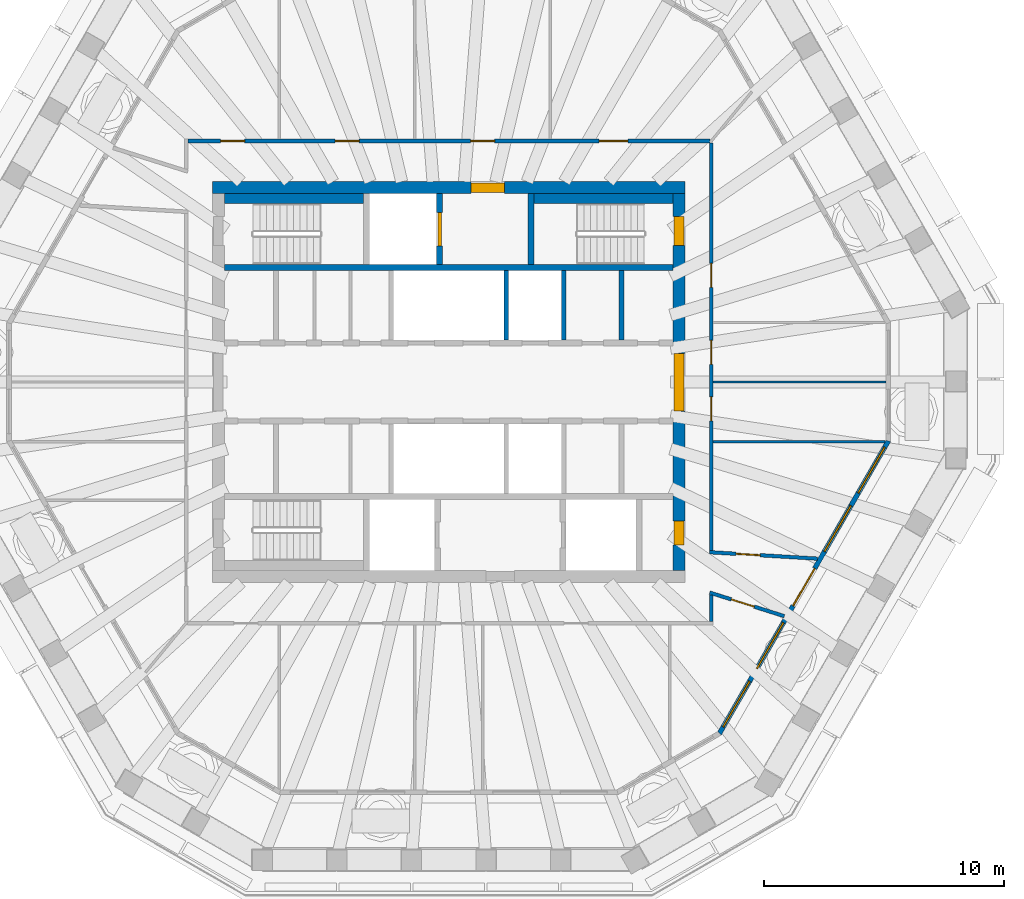
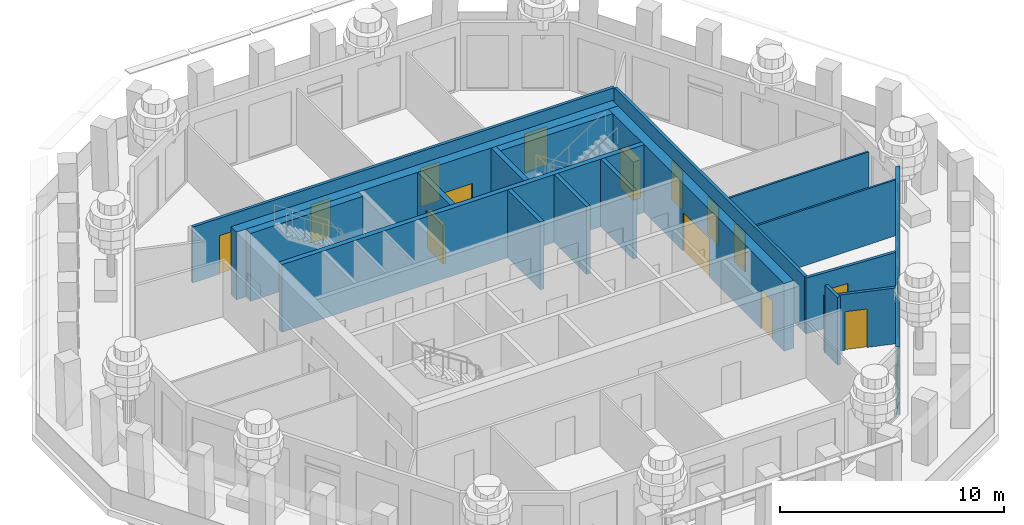
# One storey, part 6 of 13: 18 walls, 15 doors, 5 windows, 20 openings.
"""IFC4 building model written with IfcOpenShell, lengths in metres."""

from ifc_helpers import new_model, si_unit, direction, frame, frame_2d, origin, place, context, subcontext, project, spatial, polyline, rectangle, outline, extrude, material, layer, layer_set, type_object, element, fill, save


model = new_model("IFC4")

# Units and contexts
model_context = context("Model", 3, precision=1e-05, world=origin(), true_north=direction((0.0, 1.0)))
body_context = subcontext(model_context, "Body", "Model", "MODEL_VIEW")
ifc_project = project(units=[si_unit("LENGTHUNIT", "METRE"), si_unit("AREAUNIT", "SQUARE_METRE"), si_unit("VOLUMEUNIT", "CUBIC_METRE"), si_unit("PLANEANGLEUNIT", "RADIAN"), si_unit("MASSUNIT", "GRAM", prefix="KILO")], contexts=[model_context])

# Site, building, storey
site_placement = place(None, origin())
site = spatial("IfcSite", under=ifc_project, at=site_placement, CompositionType="ELEMENT")
building_placement = place(site_placement, origin())
building = spatial("IfcBuilding", under=site, at=building_placement, Name="Frailejon Research Tower", CompositionType="ELEMENT")
storey_placement = place(building_placement, frame((0.0, 0.0, 308.60009765625)))
storey = spatial("IfcBuildingStorey", under=building, at=storey_placement, Name="L68", CompositionType="ELEMENT", Elevation=308.60009765625)

# Wall, opening, door
ifc_material_1 = material(Name="Concrete C50/60", Category="concrete")
ifc_layer_1 = layer(ifc_material_1, 0.5)
ifc_layer_set_1 = layer_set([ifc_layer_1], Name="Core shear wall 500 C50/60")
wall_type_1 = type_object("IfcWallType", Name="Core shear wall 500 C50/60", PredefinedType="SHEAR", material=ifc_layer_set_1)
wall_1_placement = place(storey_placement, frame((-9.85009765625, 8.10009765625, 0.0), z_axis=(0.0, 0.0, 1.0), x_axis=(1.0, 0.0, 0.0)))
wall_1 = element("IfcWall", 1, at=wall_1_placement, inside=storey, type_object=wall_type_1, Name="Core shear wall", PredefinedType="SHEAR", context=body_context, shape_type="SweptSolid", body=[
    extrude(rectangle(XDim=19.7001953125, YDim=0.5, at=frame_2d((9.85009765625, 0.0))), origin(), (0.0, 0.0, 1.0), 3.699951171875),
])
opening_1_placement = place(wall_1_placement, frame((10.77490234375, 0.0, 0.0)))
opening_1 = element("IfcOpeningElement", 2, at=opening_1_placement, cuts=wall_1, Name="Opening D9", PredefinedType="OPENING", context=body_context, shape_type="SweptSolid", body=[
    extrude(rectangle(XDim=1.39990234375, YDim=2.10009765625, at=frame_2d((0.699951171875, 1.050048828125))), frame((0.0, 0.260009765625, 0.0), z_axis=(0.0, -1.0, 0.0), x_axis=(1.0, 0.0, 0.0)), (0.0, 0.0, 1.0), 0.52001953125),
])
ifc_material_2 = material(Name="Steel", Category="steel")
door_type_1 = type_object("IfcDoorType", Name="Goods lobby door", OperationType="DOUBLE_DOOR_SINGLE_SWING", PredefinedType="DOOR", material=ifc_material_2)
door_1_placement = place(opening_1_placement, origin())
door_1 = element("IfcDoor", 3, at=door_1_placement, inside=storey, type_object=door_type_1, Name="Goods lobby door", OperationType="DOUBLE_DOOR_SINGLE_SWING", OverallHeight=2.10009765625, OverallWidth=1.39990234375, PredefinedType="DOOR", context=body_context, shape_type="SweptSolid", body=[
    extrude(rectangle(XDim=1.39990234375, YDim=2.10009765625, at=frame_2d((0.699951171875, 1.050048828125))), frame((0.0, 0.199951171875, 0.0), z_axis=(0.0, -1.0, 0.0), x_axis=(1.0, 0.0, 0.0)), (0.0, 0.0, 1.0), 0.39990234375),
])
fill(opening_1, door_1)

# Wall, openings, doors
wall_2_placement = place(storey_placement, frame((9.60009765625, -7.85009765625, 0.0), z_axis=(0.0, 0.0, 1.0), x_axis=(0.0, 1.0, 0.0)))
wall_2 = element("IfcWall", 4, at=wall_2_placement, inside=storey, type_object=wall_type_1, Name="Core shear wall", PredefinedType="SHEAR", context=body_context, shape_type="SweptSolid", body=[
    extrude(rectangle(XDim=15.7001953125, YDim=0.5, at=frame_2d((7.85009765625, 0.0))), origin(), (0.0, 0.0, 1.0), 3.699951171875),
])
opening_2_placement = place(wall_2_placement, frame((6.64990234375, 0.0, 0.0)))
opening_2 = element("IfcOpeningElement", 5, at=opening_2_placement, cuts=wall_2, Name="Opening D2", PredefinedType="OPENING", context=body_context, shape_type="SweptSolid", body=[
    extrude(rectangle(XDim=2.39990234375, YDim=2.10009765625, at=frame_2d((1.199951171875, 1.050048828125))), frame((0.0, 0.260009765625, 0.0), z_axis=(0.0, -1.0, 0.0), x_axis=(1.0, 0.0, 0.0)), (0.0, 0.0, 1.0), 0.52001953125),
])
opening_3_placement = place(wall_2_placement, frame((13.550048828125, 0.0, 0.0)))
opening_3 = element("IfcOpeningElement", 6, at=opening_3_placement, cuts=wall_2, Name="Opening D1", PredefinedType="OPENING", context=body_context, shape_type="SweptSolid", body=[
    extrude(rectangle(XDim=1.199951171875, YDim=2.10009765625, at=frame_2d((0.60009765625, 1.050048828125))), frame((0.0, 0.260009765625, 0.0), z_axis=(0.0, -1.0, 0.0), x_axis=(1.0, 0.0, 0.0)), (0.0, 0.0, 1.0), 0.52001953125),
])
opening_4_placement = place(wall_2_placement, frame((1.050048828125, 0.0, 0.0)))
opening_4 = element("IfcOpeningElement", 7, at=opening_4_placement, cuts=wall_2, Name="Opening D4", PredefinedType="OPENING", context=body_context, shape_type="SweptSolid", body=[
    extrude(rectangle(XDim=1.0, YDim=2.10009765625, at=frame_2d((0.5, 1.050048828125))), frame((0.0, 0.260009765625, 0.0), z_axis=(0.0, -1.0, 0.0), x_axis=(1.0, 0.0, 0.0)), (0.0, 0.0, 1.0), 0.52001953125),
])
ifc_material_3 = material(Name="Steel", Category="steel")
door_type_2 = type_object("IfcDoorType", Name="Lobby double door", OperationType="DOUBLE_DOOR_SINGLE_SWING", PredefinedType="DOOR", material=ifc_material_3)
door_2_placement = place(opening_2_placement, origin())
door_2 = element("IfcDoor", 8, at=door_2_placement, inside=storey, type_object=door_type_2, Name="Lobby door", OperationType="DOUBLE_DOOR_SINGLE_SWING", OverallHeight=2.10009765625, OverallWidth=2.39990234375, PredefinedType="DOOR", context=body_context, shape_type="SweptSolid", body=[
    extrude(rectangle(XDim=2.39990234375, YDim=2.10009765625, at=frame_2d((1.199951171875, 1.050048828125))), frame((0.0, 0.199951171875, 0.0), z_axis=(0.0, -1.0, 0.0), x_axis=(1.0, 0.0, 0.0)), (0.0, 0.0, 1.0), 0.39990234375),
])
fill(opening_2, door_2)
ifc_material_4 = material(Name="Steel", Category="steel")
door_type_3 = type_object("IfcDoorType", Name="Service door", OperationType="SINGLE_SWING_LEFT", PredefinedType="DOOR", material=ifc_material_4)
door_3_placement = place(opening_4_placement, origin())
door_3 = element("IfcDoor", 9, at=door_3_placement, inside=storey, type_object=door_type_3, Name="Riser door", OperationType="SINGLE_SWING_RIGHT", OverallHeight=2.10009765625, OverallWidth=1.0, PredefinedType="DOOR", context=body_context, shape_type="SweptSolid", body=[
    extrude(rectangle(XDim=1.0, YDim=2.10009765625, at=frame_2d((0.5, 1.050048828125))), frame((0.0, 0.199951171875, 0.0), z_axis=(0.0, -1.0, 0.0), x_axis=(1.0, 0.0, 0.0)), (0.0, 0.0, 1.0), 0.39990234375),
])
fill(opening_4, door_3)
ifc_material_5 = material(Name="Steel", Category="steel")
door_type_4 = type_object("IfcDoorType", Name="Stair door", OperationType="SINGLE_SWING_LEFT", PredefinedType="DOOR", material=ifc_material_5)
door_4_placement = place(opening_3_placement, origin())
door_4 = element("IfcDoor", 10, at=door_4_placement, inside=storey, type_object=door_type_4, Name="Stair door ST3", OperationType="SINGLE_SWING_LEFT", OverallHeight=2.10009765625, OverallWidth=1.199951171875, PredefinedType="DOOR", context=body_context, shape_type="SweptSolid", body=[
    extrude(rectangle(XDim=1.199951171875, YDim=2.10009765625, at=frame_2d((0.60009765625, 1.050048828125))), frame((0.0, 0.199951171875, 0.0), z_axis=(0.0, -1.0, 0.0), x_axis=(1.0, 0.0, 0.0)), (0.0, 0.0, 1.0), 0.39990234375),
])
fill(opening_3, door_4)

# Wall
ifc_material_6 = material(Name="Gypsum board and masonry partition", Category="masonry")
ifc_layer_2 = layer(ifc_material_6, 0.14990234375)
ifc_layer_set_2 = layer_set([ifc_layer_2], Name="Corridor wall EI 60, gypsum on steel studs 150")
wall_type_2 = type_object("IfcWallType", Name="Corridor wall EI 60, gypsum on steel studs 150", PredefinedType="PARTITIONING", material=ifc_layer_set_2)
wall_3_placement = place(storey_placement, frame((10.949951171875, -9.97509765625, 0.0), z_axis=(0.0, 0.0, 1.0), x_axis=(0.0, 1.0, 0.0)))
element("IfcWall", 11, at=wall_3_placement, inside=storey, type_object=wall_type_2, Name="T:IW:L68:001", PredefinedType="PARTITIONING", context=body_context, shape_type="SweptSolid", body=[
    extrude(rectangle(XDim=1.10009765625, YDim=0.14990234375, at=frame_2d((0.550048828125, 0.0))), origin(), (0.0, 0.0, 1.0), 3.699951171875),
])

# Wall, openings, doors
wall_4_placement = place(storey_placement, frame((10.949951171875, -7.02490234375, 0.0), z_axis=(0.0, 0.0, 1.0), x_axis=(0.0, 1.0, 0.0)))
wall_4 = element("IfcWall", 12, at=wall_4_placement, inside=storey, type_object=wall_type_2, Name="T:IW:L68:002", PredefinedType="PARTITIONING", context=body_context, shape_type="SweptSolid", body=[
    extrude(rectangle(XDim=17.0, YDim=0.14990234375, at=frame_2d((8.5, 0.0))), origin(), (0.0, 0.0, 1.0), 3.0498046875),
])
opening_5_placement = place(wall_4_placement, frame((7.766357421875, 0.0, 0.0)))
opening_5 = element("IfcOpeningElement", 13, at=opening_5_placement, cuts=wall_4, Name="Opening D2281", PredefinedType="OPENING", context=body_context, shape_type="SweptSolid", body=[
    extrude(rectangle(XDim=1.0, YDim=2.10009765625, at=frame_2d((0.5, 1.050048828125))), frame((0.0, 0.0849609375, 0.0), z_axis=(0.0, -1.0, 0.0), x_axis=(1.0, 0.0, 0.0)), (0.0, 0.0, 1.0), 0.169921875),
])
opening_6_placement = place(wall_4_placement, frame((10.9755859375, 0.0, 0.0)))
opening_6 = element("IfcOpeningElement", 14, at=opening_6_placement, cuts=wall_4, Name="Opening D2282", PredefinedType="OPENING", context=body_context, shape_type="SweptSolid", body=[
    extrude(rectangle(XDim=1.0, YDim=2.10009765625, at=frame_2d((0.5, 1.050048828125))), frame((0.0, 0.0849609375, 0.0), z_axis=(0.0, -1.0, 0.0), x_axis=(1.0, 0.0, 0.0)), (0.0, 0.0, 1.0), 0.169921875),
])
opening_7_placement = place(wall_4_placement, frame((5.401123046875, 0.0, 0.0)))
opening_7 = element("IfcOpeningElement", 15, at=opening_7_placement, cuts=wall_4, Name="Opening D2297", PredefinedType="OPENING", context=body_context, shape_type="SweptSolid", body=[
    extrude(rectangle(XDim=1.0, YDim=2.10009765625, at=frame_2d((0.5, 1.050048828125))), frame((0.0, 0.0849609375, 0.0), z_axis=(0.0, -1.0, 0.0), x_axis=(1.0, 0.0, 0.0)), (0.0, 0.0, 1.0), 0.169921875),
])
ifc_material_7 = material(Name="Timber door leaf", Category="wood")
door_type_5 = type_object("IfcDoorType", Name="Door single leaf, timber, steel frame 1000", OperationType="NOTDEFINED", PredefinedType="DOOR", material=ifc_material_7)
door_5_placement = place(opening_5_placement, origin())
door_5 = element("IfcDoor", 16, at=door_5_placement, inside=storey, type_object=door_type_5, Name="D2281", OperationType="SINGLE_SWING_RIGHT", OverallHeight=2.10009765625, OverallWidth=1.0, PredefinedType="DOOR", context=body_context, shape_type="SweptSolid", body=[
    extrude(rectangle(XDim=1.0, YDim=2.10009765625, at=frame_2d((0.5, 1.050048828125))), frame((0.0, 0.02490234375, 0.0), z_axis=(0.0, -1.0, 0.0), x_axis=(1.0, 0.0, 0.0)), (0.0, 0.0, 1.0), 0.050048828125),
])
fill(opening_5, door_5)
door_6_placement = place(opening_6_placement, origin())
door_6 = element("IfcDoor", 17, at=door_6_placement, inside=storey, type_object=door_type_5, Name="D2282", OperationType="SINGLE_SWING_LEFT", OverallHeight=2.10009765625, OverallWidth=1.0, PredefinedType="DOOR", context=body_context, shape_type="SweptSolid", body=[
    extrude(rectangle(XDim=1.0, YDim=2.10009765625, at=frame_2d((0.5, 1.050048828125))), frame((0.0, 0.02490234375, 0.0), z_axis=(0.0, -1.0, 0.0), x_axis=(1.0, 0.0, 0.0)), (0.0, 0.0, 1.0), 0.050048828125),
])
fill(opening_6, door_6)
door_7_placement = place(opening_7_placement, origin())
door_7 = element("IfcDoor", 18, at=door_7_placement, inside=storey, type_object=door_type_5, Name="D2297", OperationType="SINGLE_SWING_LEFT", OverallHeight=2.10009765625, OverallWidth=1.0, PredefinedType="DOOR", context=body_context, shape_type="SweptSolid", body=[
    extrude(rectangle(XDim=1.0, YDim=2.10009765625, at=frame_2d((0.5, 1.050048828125))), frame((0.0, 0.02490234375, 0.0), z_axis=(0.0, -1.0, 0.0), x_axis=(1.0, 0.0, 0.0)), (0.0, 0.0, 1.0), 0.050048828125),
])
fill(opening_7, door_7)

wall_5_placement = place(storey_placement, frame((-10.875, 10.050048828125, 0.0), z_axis=(0.0, 0.0, 1.0), x_axis=(1.0, 0.0, 0.0)))
wall_5 = element("IfcWall", 19, at=wall_5_placement, inside=storey, type_object=wall_type_2, Name="T:IW:L68:003", PredefinedType="PARTITIONING", context=body_context, shape_type="SweptSolid", body=[
    extrude(rectangle(XDim=21.77490234375, YDim=0.14990234375, at=frame_2d((10.887451171875, 0.0))), origin(), (0.0, 0.0, 1.0), 3.0498046875),
])
opening_8_placement = place(wall_5_placement, frame((17.1474609375, 0.0, 0.0)))
opening_8 = element("IfcOpeningElement", 20, at=opening_8_placement, cuts=wall_5, Name="Opening D2283", PredefinedType="OPENING", context=body_context, shape_type="SweptSolid", body=[
    extrude(rectangle(XDim=1.199951171875, YDim=2.10009765625, at=frame_2d((0.60009765625, 1.050048828125))), frame((0.0, 0.0849609375, 0.0), z_axis=(0.0, -1.0, 0.0), x_axis=(1.0, 0.0, 0.0)), (0.0, 0.0, 1.0), 0.169921875),
])
opening_9_placement = place(wall_5_placement, frame((11.787841796875, 0.0, 0.0)))
opening_9 = element("IfcOpeningElement", 21, at=opening_9_placement, cuts=wall_5, Name="Opening D2284", PredefinedType="OPENING", context=body_context, shape_type="SweptSolid", body=[
    extrude(rectangle(XDim=1.0, YDim=2.10009765625, at=frame_2d((0.5, 1.050048828125))), frame((0.0, 0.0849609375, 0.0), z_axis=(0.0, -1.0, 0.0), x_axis=(1.0, 0.0, 0.0)), (0.0, 0.0, 1.0), 0.169921875),
])
opening_10_placement = place(wall_5_placement, frame((6.13671875, 0.0, 0.0)))
opening_10 = element("IfcOpeningElement", 22, at=opening_10_placement, cuts=wall_5, Name="Opening D2285", PredefinedType="OPENING", context=body_context, shape_type="SweptSolid", body=[
    extrude(rectangle(XDim=1.0, YDim=2.10009765625, at=frame_2d((0.5, 1.050048828125))), frame((0.0, 0.0849609375, 0.0), z_axis=(0.0, -1.0, 0.0), x_axis=(1.0, 0.0, 0.0)), (0.0, 0.0, 1.0), 0.169921875),
])
opening_11_placement = place(wall_5_placement, frame((1.3681640625, 0.0, 0.0)))
opening_11 = element("IfcOpeningElement", 23, at=opening_11_placement, cuts=wall_5, Name="Opening D2286", PredefinedType="OPENING", context=body_context, shape_type="SweptSolid", body=[
    extrude(rectangle(XDim=1.0, YDim=2.10009765625, at=frame_2d((0.5, 1.050048828125))), frame((0.0, 0.0849609375, 0.0), z_axis=(0.0, -1.0, 0.0), x_axis=(1.0, 0.0, 0.0)), (0.0, 0.0, 1.0), 0.169921875),
])
door_8_placement = place(opening_9_placement, origin())
door_8 = element("IfcDoor", 24, at=door_8_placement, inside=storey, type_object=door_type_5, Name="D2284", OperationType="SINGLE_SWING_RIGHT", OverallHeight=2.10009765625, OverallWidth=1.0, PredefinedType="DOOR", context=body_context, shape_type="SweptSolid", body=[
    extrude(rectangle(XDim=1.0, YDim=2.10009765625, at=frame_2d((0.5, 1.050048828125))), frame((0.0, 0.02490234375, 0.0), z_axis=(0.0, -1.0, 0.0), x_axis=(1.0, 0.0, 0.0)), (0.0, 0.0, 1.0), 0.050048828125),
])
fill(opening_9, door_8)
door_9_placement = place(opening_10_placement, origin())
door_9 = element("IfcDoor", 25, at=door_9_placement, inside=storey, type_object=door_type_5, Name="D2285", OperationType="SINGLE_SWING_LEFT", OverallHeight=2.10009765625, OverallWidth=1.0, PredefinedType="DOOR", context=body_context, shape_type="SweptSolid", body=[
    extrude(rectangle(XDim=1.0, YDim=2.10009765625, at=frame_2d((0.5, 1.050048828125))), frame((0.0, 0.02490234375, 0.0), z_axis=(0.0, -1.0, 0.0), x_axis=(1.0, 0.0, 0.0)), (0.0, 0.0, 1.0), 0.050048828125),
])
fill(opening_10, door_9)
door_10_placement = place(opening_11_placement, origin())
door_10 = element("IfcDoor", 26, at=door_10_placement, inside=storey, type_object=door_type_5, Name="D2286", OperationType="SINGLE_SWING_LEFT", OverallHeight=2.10009765625, OverallWidth=1.0, PredefinedType="DOOR", context=body_context, shape_type="SweptSolid", body=[
    extrude(rectangle(XDim=1.0, YDim=2.10009765625, at=frame_2d((0.5, 1.050048828125))), frame((0.0, 0.02490234375, 0.0), z_axis=(0.0, -1.0, 0.0), x_axis=(1.0, 0.0, 0.0)), (0.0, 0.0, 1.0), 0.050048828125),
])
fill(opening_11, door_10)
ifc_material_8 = material(Name="Timber door leaf", Category="wood")
door_type_6 = type_object("IfcDoorType", Name="Door single leaf, timber, steel frame 1200", OperationType="NOTDEFINED", PredefinedType="DOOR", material=ifc_material_8)
door_11_placement = place(opening_8_placement, origin())
door_11 = element("IfcDoor", 27, at=door_11_placement, inside=storey, type_object=door_type_6, Name="D2283", OperationType="DOUBLE_DOOR_SINGLE_SWING", OverallHeight=2.10009765625, OverallWidth=1.199951171875, PredefinedType="DOOR", context=body_context, shape_type="SweptSolid", body=[
    extrude(rectangle(XDim=1.199951171875, YDim=2.10009765625, at=frame_2d((0.60009765625, 1.050048828125))), frame((0.0, 0.02490234375, 0.0), z_axis=(0.0, -1.0, 0.0), x_axis=(1.0, 0.0, 0.0)), (0.0, 0.0, 1.0), 0.050048828125),
])
fill(opening_8, door_11)

# Wall, opening, door
wall_6_placement = place(storey_placement, frame((10.87841796875, -8.77734375, 0.0), z_axis=(0.0, 0.0, 1.0), x_axis=(0.953535222329, -0.301281562294, 0.0)))
wall_6 = element("IfcWall", 28, at=wall_6_placement, inside=storey, type_object=wall_type_2, Name="T:IW:L68:009", PredefinedType="PARTITIONING", context=body_context, shape_type="SweptSolid", body=[
    extrude(rectangle(XDim=3.267333984375, YDim=0.14990234375, at=frame_2d((1.6337890625, 0.0))), origin(), (0.0, 0.0, 1.0), 3.0498046875),
])
opening_12_placement = place(wall_6_placement, frame((0.947265625, 0.0, 0.0)))
opening_12 = element("IfcOpeningElement", 29, at=opening_12_placement, cuts=wall_6, Name="Opening D2295", PredefinedType="OPENING", context=body_context, shape_type="SweptSolid", body=[
    extrude(rectangle(XDim=1.0, YDim=2.10009765625, at=frame_2d((0.5, 1.050048828125))), frame((0.0, 0.0849609375, 0.0), z_axis=(0.0, -1.0, 0.0), x_axis=(1.0, 0.0, 0.0)), (0.0, 0.0, 1.0), 0.169921875),
])
door_12_placement = place(opening_12_placement, origin())
door_12 = element("IfcDoor", 30, at=door_12_placement, inside=storey, type_object=door_type_5, Name="D2295", OperationType="SINGLE_SWING_RIGHT", OverallHeight=2.10009765625, OverallWidth=1.0, PredefinedType="DOOR", context=body_context, shape_type="SweptSolid", body=[
    extrude(rectangle(XDim=1.0, YDim=2.10009765625, at=frame_2d((0.5, 1.050048828125))), frame((0.0, 0.02490234375, 0.0), z_axis=(0.0, -1.0, 0.0), x_axis=(1.0, 0.0, 0.0)), (0.0, 0.0, 1.0), 0.050048828125),
])
fill(opening_12, door_12)

wall_7_placement = place(storey_placement, frame((10.875, -7.095458984375, 0.0), z_axis=(0.0, 0.0, 1.0), x_axis=(0.998236474489, -0.059362791376, 0.0)))
wall_7 = element("IfcWall", 31, at=wall_7_placement, inside=storey, type_object=wall_type_2, Name="T:IW:L68:010", PredefinedType="PARTITIONING", context=body_context, shape_type="SweptSolid", body=[
    extrude(rectangle(XDim=4.51171875, YDim=0.14990234375, at=frame_2d((2.255859375, 0.0))), origin(), (0.0, 0.0, 1.0), 3.0498046875),
])
opening_13_placement = place(wall_7_placement, frame((1.109130859375, 0.0, 0.0)))
opening_13 = element("IfcOpeningElement", 32, at=opening_13_placement, cuts=wall_7, Name="Opening D2296", PredefinedType="OPENING", context=body_context, shape_type="SweptSolid", body=[
    extrude(rectangle(XDim=1.0, YDim=2.10009765625, at=frame_2d((0.5, 1.050048828125))), frame((0.0, 0.0849609375, 0.0), z_axis=(0.0, -1.0, 0.0), x_axis=(1.0, 0.0, 0.0)), (0.0, 0.0, 1.0), 0.169921875),
])
door_13_placement = place(opening_13_placement, origin())
door_13 = element("IfcDoor", 33, at=door_13_placement, inside=storey, type_object=door_type_5, Name="D2296", OperationType="SINGLE_SWING_RIGHT", OverallHeight=2.10009765625, OverallWidth=1.0, PredefinedType="DOOR", context=body_context, shape_type="SweptSolid", body=[
    extrude(rectangle(XDim=1.0, YDim=2.10009765625, at=frame_2d((0.5, 1.050048828125))), frame((0.0, 0.02490234375, 0.0), z_axis=(0.0, -1.0, 0.0), x_axis=(1.0, 0.0, 0.0)), (0.0, 0.0, 1.0), 0.050048828125),
])
fill(opening_13, door_13)

# Walls
ifc_material_9 = material(Name="Gypsum board and masonry partition", Category="masonry")
ifc_layer_3 = layer(ifc_material_9, 0.10009765625)
ifc_layer_set_3 = layer_set([ifc_layer_3], Name="Partition, gypsum on steel studs 100")
wall_type_3 = type_object("IfcWallType", Name="Partition, gypsum on steel studs 100", PredefinedType="PARTITIONING", material=ifc_layer_set_3)
wall_8_placement = place(storey_placement, frame((11.02490234375, 0.0, 0.0), z_axis=(0.0, 0.0, 1.0), x_axis=(1.0, 0.0, 0.0)))
element("IfcWall", 34, at=wall_8_placement, inside=storey, type_object=wall_type_3, Name="T:IW:L68:013", PredefinedType="PARTITIONING", context=body_context, shape_type="SweptSolid", body=[
    extrude(rectangle(XDim=7.20263671875, YDim=0.10009765625, at=frame_2d((3.601318359375, 0.0))), origin(), (0.0, 0.0, 1.0), 3.0498046875),
])
wall_9_placement = place(storey_placement, frame((11.02490234375, -2.482666015625, 0.0), z_axis=(0.0, 0.0, 1.0), x_axis=(1.0, 0.0, 0.0)))
element("IfcWall", 35, at=wall_9_placement, inside=storey, type_object=wall_type_3, Name="T:IW:L68:021", PredefinedType="PARTITIONING", context=body_context, shape_type="SweptSolid", body=[
    extrude(rectangle(XDim=7.171630859375, YDim=0.10009765625, at=frame_2d((3.5859375, 0.0))), origin(), (0.0, 0.0, 1.0), 3.0498046875),
])
ifc_material_10 = material(Name="Concrete C50/60", Category="concrete")
ifc_layer_4 = layer(ifc_material_10, 0.199951171875)
ifc_layer_set_4 = layer_set([ifc_layer_4], Name="Shaft wall 200 C50/60")
wall_type_4 = type_object("IfcWallType", Name="Shaft wall 200 C50/60", PredefinedType="SOLIDWALL", material=ifc_layer_set_4)
for number, where, z_axis, x_axis, name in (
    (36, (2.39990234375, 1.75, 0.0), (0.0, 0.0, 1.0), (0.0, 1.0, 0.0), "Shaft wall"),
    (37, (4.800048828125, 1.75, 0.0), (0.0, 0.0, 1.0), (0.0, 1.0, 0.0), "Shaft wall"),
    (38, (7.199951171875, 1.75, 0.0), (0.0, 0.0, 1.0), (0.0, 1.0, 0.0), "Shaft wall"),
):
    element("IfcWall", number, at=place(storey_placement, frame(where, z_axis=z_axis, x_axis=x_axis)), inside=storey, type_object=wall_type_4, Name=name, PredefinedType="SOLIDWALL", context=body_context, shape_type="SweptSolid", body=[
        extrude(rectangle(XDim=2.89990234375, YDim=0.199951171875, at=frame_2d((1.449951171875, 0.0))), origin(), (0.0, 0.0, 1.0), 3.699951171875),
    ])
ifc_material_11 = material(Name="Concrete C50/60", Category="concrete")
ifc_layer_5 = layer(ifc_material_11, 0.25)
ifc_layer_set_5 = layer_set([ifc_layer_5], Name="Shaft wall 250 C50/60")
wall_type_5 = type_object("IfcWallType", Name="Shaft wall 250 C50/60", PredefinedType="SOLIDWALL", material=ifc_layer_set_5)
wall_10_placement = place(storey_placement, frame((-9.35009765625, 4.77490234375, 0.0), z_axis=(0.0, 0.0, 1.0), x_axis=(1.0, 0.0, 0.0)))
element("IfcWall", 39, at=wall_10_placement, inside=storey, type_object=wall_type_5, Name="Shaft wall", PredefinedType="SOLIDWALL", context=body_context, shape_type="SweptSolid", body=[
    extrude(rectangle(XDim=18.7001953125, YDim=0.25, at=frame_2d((9.35009765625, 0.0))), origin(), (0.0, 0.0, 1.0), 3.699951171875),
])

# Wall, opening, door
wall_11_placement = place(storey_placement, frame((-0.375, 4.89990234375, 0.0), z_axis=(0.0, 0.0, 1.0), x_axis=(0.0, 1.0, 0.0)))
wall_11 = element("IfcWall", 40, at=wall_11_placement, inside=storey, type_object=wall_type_5, Name="Shaft wall", PredefinedType="SOLIDWALL", context=body_context, shape_type="SweptSolid", body=[
    extrude(rectangle(XDim=2.9501953125, YDim=0.25, at=frame_2d((1.47509765625, 0.0))), origin(), (0.0, 0.0, 1.0), 3.699951171875),
])
opening_14_placement = place(wall_11_placement, frame((0.77490234375, 0.0, 0.0)))
opening_14 = element("IfcOpeningElement", 41, at=opening_14_placement, cuts=wall_11, Name="Opening LD2", PredefinedType="OPENING", context=body_context, shape_type="SweptSolid", body=[
    extrude(rectangle(XDim=1.39990234375, YDim=2.10009765625, at=frame_2d((0.699951171875, 1.050048828125))), frame((0.0, 0.135009765625, 0.0), z_axis=(0.0, -1.0, 0.0), x_axis=(1.0, 0.0, 0.0)), (0.0, 0.0, 1.0), 0.27001953125),
])
ifc_material_12 = material(Name="Stainless steel", Category="steel")
door_type_7 = type_object("IfcDoorType", Name="Goods landing door", OperationType="DOUBLE_DOOR_SLIDING", PredefinedType="DOOR", material=ifc_material_12)
door_14_placement = place(opening_14_placement, origin())
door_14 = element("IfcDoor", 42, at=door_14_placement, inside=storey, type_object=door_type_7, Name="Lift landing door", OperationType="DOUBLE_DOOR_SLIDING", OverallHeight=2.10009765625, OverallWidth=1.39990234375, PredefinedType="DOOR", context=body_context, shape_type="SweptSolid", body=[
    extrude(rectangle(XDim=1.39990234375, YDim=2.10009765625, at=frame_2d((0.699951171875, 1.050048828125))), frame((0.0, 0.074951171875, 0.0), z_axis=(0.0, -1.0, 0.0), x_axis=(1.0, 0.0, 0.0)), (0.0, 0.0, 1.0), 0.14990234375),
])
fill(opening_14, door_14)

# Walls
wall_12_placement = place(storey_placement, frame((3.425048828125, 4.89990234375, 0.0), z_axis=(0.0, 0.0, 1.0), x_axis=(0.0, 1.0, 0.0)))
element("IfcWall", 43, at=wall_12_placement, inside=storey, type_object=wall_type_5, Name="Shaft wall", PredefinedType="SOLIDWALL", context=body_context, shape_type="SweptSolid", body=[
    extrude(rectangle(XDim=2.9501953125, YDim=0.25, at=frame_2d((1.47509765625, 0.0))), origin(), (0.0, 0.0, 1.0), 3.699951171875),
])
ifc_material_13 = material(Name="Concrete C50/60", Category="concrete")
ifc_layer_6 = layer(ifc_material_13, 0.39990234375)
ifc_layer_set_6 = layer_set([ifc_layer_6], Name="Shaft wall 400 C50/60")
wall_type_6 = type_object("IfcWallType", Name="Shaft wall 400 C50/60", PredefinedType="SOLIDWALL", material=ifc_layer_set_6)
for number, where, z_axis, x_axis, name in (
    (44, (-9.35009765625, 7.64990234375, 0.0), (0.0, 0.0, 1.0), (1.0, 0.0, 0.0), "Shaft wall"),
    (45, (3.550048828125, 7.64990234375, 0.0), (0.0, 0.0, 1.0), (1.0, 0.0, 0.0), "Shaft wall"),
):
    element("IfcWall", number, at=place(storey_placement, frame(where, z_axis=z_axis, x_axis=x_axis)), inside=storey, type_object=wall_type_6, Name=name, PredefinedType="SOLIDWALL", context=body_context, shape_type="SweptSolid", body=[
        extrude(rectangle(XDim=5.800048828125, YDim=0.39990234375, at=frame_2d((2.89990234375, 0.0))), origin(), (0.0, 0.0, 1.0), 3.699951171875),
    ])

# Wall, openings, door, windows
ifc_material_14 = material(Name="Concrete C40/50 precast window wall panel", Category="concrete")
ifc_layer_7 = layer(ifc_material_14, 0.199951171875)
ifc_layer_set_7 = layer_set([ifc_layer_7], Name="Window wall 200")
wall_type_7 = type_object("IfcWallType", Name="Window wall 200", PredefinedType="SOLIDWALL", material=ifc_layer_set_7)
wall_13_placement = place(storey_placement, frame((11.29052734375, -14.644287109375, 0.0), z_axis=(0.0, 0.0, 1.0), x_axis=(0.499991740577, 0.866030172312, 0.0)))
wall_13 = element("IfcWall", 46, at=wall_13_placement, inside=storey, type_object=wall_type_7, Name="Exterior wall L68", PredefinedType="SOLIDWALL", context=body_context, shape_type="SweptSolid", body=[
    extrude(outline(polyline([(-0.02685546875, -0.10009765625), (0.982177734375, -0.10009765625), (1.991455078125, -0.10009765625), (3.00048828125, -0.10009765625), (4.009521484375, -0.10009765625), (5.018798828125, -0.10009765625), (6.02783203125, -0.10009765625), (7.037109375, -0.10009765625), (8.046142578125, -0.10009765625), (9.05517578125, -0.10009765625), (10.064453125, -0.10009765625), (11.073486328125, -0.10009765625), (12.08251953125, -0.10009765625), (13.091796875, -0.10009765625), (14.100830078125, -0.10009765625), (14.047119140625, 0.10009765625), (13.045654296875, 0.10009765625), (12.044189453125, 0.10009765625), (11.042724609375, 0.10009765625), (10.041259765625, 0.10009765625), (9.039794921875, 0.10009765625), (8.038330078125, 0.10009765625), (7.037109375, 0.10009765625), (6.03564453125, 0.10009765625), (5.0341796875, 0.10009765625), (4.03271484375, 0.10009765625), (3.03125, 0.10009765625), (2.02978515625, 0.10009765625), (1.0283203125, 0.10009765625), (0.02685546875, 0.10009765625), (-0.02685546875, -0.10009765625)])), origin(), (0.0, 0.0, 1.0), 3.699951171875),
])
opening_15_placement = place(wall_13_placement, frame((0.307373046875, 0.0, 0.10009765625)))
opening_15 = element("IfcOpeningElement", 47, at=opening_15_placement, cuts=wall_13, Name="Opening W28", PredefinedType="OPENING", context=body_context, shape_type="SweptSolid", body=[
    extrude(rectangle(XDim=2.199951171875, YDim=2.89990234375, at=frame_2d((1.10009765625, 1.449951171875))), frame((0.0, 0.10986328125, 0.0), z_axis=(0.0, -1.0, 0.0), x_axis=(1.0, 0.0, 0.0)), (0.0, 0.0, 1.0), 0.219970703125),
])
opening_16_placement = place(wall_13_placement, frame((3.122314453125, 0.0, 0.10009765625)))
opening_16 = element("IfcOpeningElement", 48, at=opening_16_placement, cuts=wall_13, Name="Opening W28", PredefinedType="OPENING", context=body_context, shape_type="SweptSolid", body=[
    extrude(rectangle(XDim=2.199951171875, YDim=2.89990234375, at=frame_2d((1.10009765625, 1.449951171875))), frame((0.0, 0.10986328125, 0.0), z_axis=(0.0, -1.0, 0.0), x_axis=(1.0, 0.0, 0.0)), (0.0, 0.0, 1.0), 0.219970703125),
])
opening_17_placement = place(wall_13_placement, frame((6.136962890625, 0.0, 0.0)))
opening_17 = element("IfcOpeningElement", 49, at=opening_17_placement, cuts=wall_13, Name="Opening LG68-6", PredefinedType="OPENING", context=body_context, shape_type="SweptSolid", body=[
    extrude(rectangle(XDim=1.800048828125, YDim=2.39990234375, at=frame_2d((0.89990234375, 1.199951171875))), frame((0.0, 0.10986328125, 0.0), z_axis=(0.0, -1.0, 0.0), x_axis=(1.0, 0.0, 0.0)), (0.0, 0.0, 1.0), 0.219970703125),
])
opening_18_placement = place(wall_13_placement, frame((6.136962890625, 0.0, 2.550048828125)))
opening_18 = element("IfcOpeningElement", 50, at=opening_18_placement, cuts=wall_13, Name="Opening W1", PredefinedType="OPENING", context=body_context, shape_type="SweptSolid", body=[
    extrude(rectangle(XDim=1.800048828125, YDim=0.449951171875, at=frame_2d((0.89990234375, 0.22509765625))), frame((0.0, 0.10986328125, 0.0), z_axis=(0.0, -1.0, 0.0), x_axis=(1.0, 0.0, 0.0)), (0.0, 0.0, 1.0), 0.219970703125),
])
opening_19_placement = place(wall_13_placement, frame((8.751708984375, 0.0, 0.10009765625)))
opening_19 = element("IfcOpeningElement", 51, at=opening_19_placement, cuts=wall_13, Name="Opening W28", PredefinedType="OPENING", context=body_context, shape_type="SweptSolid", body=[
    extrude(rectangle(XDim=2.199951171875, YDim=2.89990234375, at=frame_2d((1.10009765625, 1.449951171875))), frame((0.0, 0.10986328125, 0.0), z_axis=(0.0, -1.0, 0.0), x_axis=(1.0, 0.0, 0.0)), (0.0, 0.0, 1.0), 0.219970703125),
])
opening_20_placement = place(wall_13_placement, frame((11.56640625, 0.0, 0.10009765625)))
opening_20 = element("IfcOpeningElement", 52, at=opening_20_placement, cuts=wall_13, Name="Opening W28", PredefinedType="OPENING", context=body_context, shape_type="SweptSolid", body=[
    extrude(rectangle(XDim=2.199951171875, YDim=2.89990234375, at=frame_2d((1.10009765625, 1.449951171875))), frame((0.0, 0.10986328125, 0.0), z_axis=(0.0, -1.0, 0.0), x_axis=(1.0, 0.0, 0.0)), (0.0, 0.0, 1.0), 0.219970703125),
])
ifc_material_15 = material(Name="Aluminium framed glazed door leaf", Category="aluminium")
door_type_8 = type_object("IfcDoorType", Name="Loggia door 1800x2400", OperationType="DOUBLE_DOOR_SINGLE_SWING", PredefinedType="DOOR", material=ifc_material_15)
door_15_placement = place(opening_17_placement, origin())
door_15 = element("IfcDoor", 53, at=door_15_placement, inside=storey, type_object=door_type_8, Name="Door LG68-6", OperationType="DOUBLE_DOOR_SINGLE_SWING", OverallHeight=2.39990234375, OverallWidth=1.800048828125, PredefinedType="DOOR", context=body_context, shape_type="SweptSolid", body=[
    extrude(rectangle(XDim=1.800048828125, YDim=2.39990234375, at=frame_2d((0.89990234375, 1.199951171875))), frame((0.0, 0.02490234375, 0.0), z_axis=(0.0, -1.0, 0.0), x_axis=(1.0, 0.0, 0.0)), (0.0, 0.0, 1.0), 0.050048828125),
])
fill(opening_17, door_15)
ifc_material_16 = material(Name="Aluminium framed double glazing", Category="aluminium")
window_type_1 = type_object("IfcWindowType", Name="Window 1800x450", PartitioningType="SINGLE_PANEL", PredefinedType="WINDOW", material=ifc_material_16)
window_1_placement = place(opening_18_placement, origin())
window_1 = element("IfcWindow", 54, at=window_1_placement, inside=storey, type_object=window_type_1, Name="Window L68", OverallHeight=0.449951171875, OverallWidth=1.800048828125, PartitioningType="SINGLE_PANEL", PredefinedType="WINDOW", context=body_context, shape_type="SweptSolid", body=[
    extrude(rectangle(XDim=1.800048828125, YDim=0.449951171875, at=frame_2d((0.89990234375, 0.22509765625))), frame((0.0, 0.030029296875, 0.0), z_axis=(0.0, -1.0, 0.0), x_axis=(1.0, 0.0, 0.0)), (0.0, 0.0, 1.0), 0.06005859375),
])
fill(opening_18, window_1)
ifc_material_17 = material(Name="Aluminium framed double glazing", Category="aluminium")
window_type_2 = type_object("IfcWindowType", Name="Window 2200x2900", PartitioningType="SINGLE_PANEL", PredefinedType="WINDOW", material=ifc_material_17)
window_2_placement = place(opening_15_placement, origin())
window_2 = element("IfcWindow", 55, at=window_2_placement, inside=storey, type_object=window_type_2, Name="Window L68", OverallHeight=2.89990234375, OverallWidth=2.199951171875, PartitioningType="SINGLE_PANEL", PredefinedType="WINDOW", context=body_context, shape_type="SweptSolid", body=[
    extrude(rectangle(XDim=2.199951171875, YDim=2.89990234375, at=frame_2d((1.10009765625, 1.449951171875))), frame((0.0, 0.030029296875, 0.0), z_axis=(0.0, -1.0, 0.0), x_axis=(1.0, 0.0, 0.0)), (0.0, 0.0, 1.0), 0.06005859375),
])
fill(opening_15, window_2)
window_3_placement = place(opening_16_placement, origin())
window_3 = element("IfcWindow", 56, at=window_3_placement, inside=storey, type_object=window_type_2, Name="Window L68", OverallHeight=2.89990234375, OverallWidth=2.199951171875, PartitioningType="SINGLE_PANEL", PredefinedType="WINDOW", context=body_context, shape_type="SweptSolid", body=[
    extrude(rectangle(XDim=2.199951171875, YDim=2.89990234375, at=frame_2d((1.10009765625, 1.449951171875))), frame((0.0, 0.030029296875, 0.0), z_axis=(0.0, -1.0, 0.0), x_axis=(1.0, 0.0, 0.0)), (0.0, 0.0, 1.0), 0.06005859375),
])
fill(opening_16, window_3)
window_4_placement = place(opening_19_placement, origin())
window_4 = element("IfcWindow", 57, at=window_4_placement, inside=storey, type_object=window_type_2, Name="Window L68", OverallHeight=2.89990234375, OverallWidth=2.199951171875, PartitioningType="SINGLE_PANEL", PredefinedType="WINDOW", context=body_context, shape_type="SweptSolid", body=[
    extrude(rectangle(XDim=2.199951171875, YDim=2.89990234375, at=frame_2d((1.10009765625, 1.449951171875))), frame((0.0, 0.030029296875, 0.0), z_axis=(0.0, -1.0, 0.0), x_axis=(1.0, 0.0, 0.0)), (0.0, 0.0, 1.0), 0.06005859375),
])
fill(opening_19, window_4)
window_5_placement = place(opening_20_placement, origin())
window_5 = element("IfcWindow", 58, at=window_5_placement, inside=storey, type_object=window_type_2, Name="Window L68", OverallHeight=2.89990234375, OverallWidth=2.199951171875, PartitioningType="SINGLE_PANEL", PredefinedType="WINDOW", context=body_context, shape_type="SweptSolid", body=[
    extrude(rectangle(XDim=2.199951171875, YDim=2.89990234375, at=frame_2d((1.10009765625, 1.449951171875))), frame((0.0, 0.030029296875, 0.0), z_axis=(0.0, -1.0, 0.0), x_axis=(1.0, 0.0, 0.0)), (0.0, 0.0, 1.0), 0.06005859375),
])
fill(opening_20, window_5)

save(model, "model.ifc")
